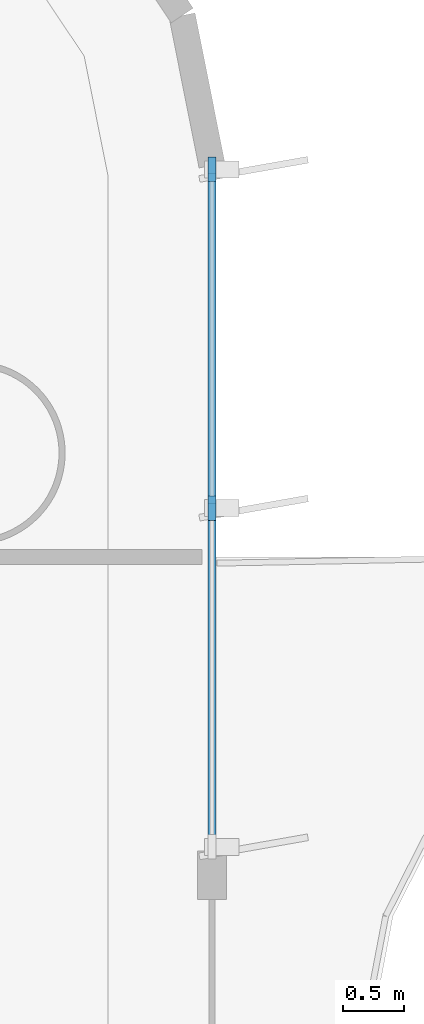
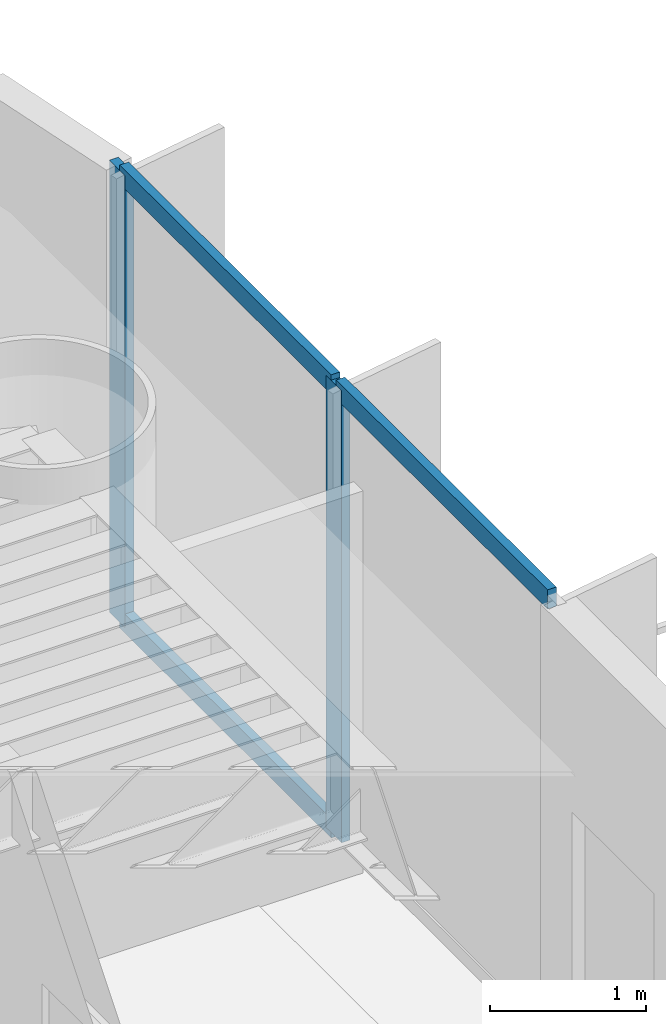
# One storey, part 6 of 18: 5 members, 1 element without a shape of its own.
"""IFC4 building model written with IfcOpenShell, lengths in metres."""

from ifc_helpers import new_model, si_unit, direction, frame, origin, origin_2d, place, context, subcontext, project, spatial, rectangle, extrude, source, transform, mapped, material, layer, layer_set, material_profile, profile_set, type_object, element, aggregate, save


model = new_model("IFC4")

# Units and contexts
model_context = context("Model", 3, precision=1e-05, world=origin(), true_north=direction((0.0, 1.0)))
body_context = subcontext(model_context, "Body", "Model", "MODEL_VIEW")
ifc_project = project(units=[si_unit("LENGTHUNIT", "METRE"), si_unit("AREAUNIT", "SQUARE_METRE"), si_unit("VOLUMEUNIT", "CUBIC_METRE"), si_unit("PLANEANGLEUNIT", "RADIAN"), si_unit("MASSUNIT", "GRAM", prefix="KILO")], contexts=[model_context])

# Site, building, storey
site_placement = place(None, origin())
site = spatial("IfcSite", under=ifc_project, at=site_placement, CompositionType="ELEMENT")
building_placement = place(site_placement, origin())
building = spatial("IfcBuilding", under=site, at=building_placement, Name="Brelvock Crest Care Tower", CompositionType="ELEMENT")
storey_placement = place(building_placement, frame((0.0, 0.0, 38.340087890625)))
storey = spatial("IfcBuildingStorey", under=building, at=storey_placement, Name="L09", CompositionType="ELEMENT", Elevation=38.340087890625)

# Curtain wall, members
ifc_material_1 = material(Name="Dark Glass Double Glazed Low-E", Category="glass")
ifc_layer = layer(ifc_material_1, 0.195068359375, Name="CWS-2")
ifc_layer_set = layer_set([ifc_layer], Name="Dark Glass Double Glazed Low-E")
curtain_wall_type = type_object("IfcCurtainWallType", Name="CWS-2", PredefinedType="NOTDEFINED", material=ifc_layer_set)
curtain_wall_placement = place(storey_placement, origin())
curtain_wall = element("IfcCurtainWall", 1, at=curtain_wall_placement, inside=storey, type_object=curtain_wall_type, Name="L09 Curtain Wall E03A", PredefinedType="NOTDEFINED")
ifc_material_2 = material(Name="Aluminium 6063-T6", Category="aluminium")
ifc_material_profile_1 = material_profile(ifc_material_2, rectangle(XDim=0.06494140625, YDim=0.199951171875, at=origin_2d()), Name="ALU65x200")
ifc_profile_set_1 = profile_set([ifc_material_profile_1], Name="Aluminium 6063-T6")
member_type_1 = type_object("IfcMemberType", Name="CWM-1", PredefinedType="MULLION", material=ifc_profile_set_1)
shared_shape_1 = source(origin(), body_context, "Body", "SweptSolid", [
    extrude(rectangle(XDim=0.06494140625, YDim=0.199951171875, at=origin_2d()), origin(), (0.0, 0.0, 1.0), 3.530029296875),
])
member_1_placement = place(storey_placement, frame((60.0, 32.767578125, 0.0), z_axis=(0.0, 0.0, 1.0), x_axis=(1.0, 0.0, 0.0)))
member_1 = element("IfcMember", 2, at=member_1_placement, type_object=member_type_1, Name="CW-2 mullion 1", PredefinedType="MULLION", context=body_context, shape_type="MappedRepresentation", body=[
    mapped(shared_shape_1, transform((0.0, 0.0, 0.0), x_axis=(1.0, 0.0, 0.0), y_axis=(0.0, 1.0, 0.0), z_axis=(0.0, 0.0, 1.0), scale=1.0)),
])
member_2_placement = place(storey_placement, frame((60.0, 30.0, 0.0), z_axis=(0.0, 0.0, 1.0), x_axis=(1.0, 0.0, 0.0)))
member_2 = element("IfcMember", 3, at=member_2_placement, type_object=member_type_1, Name="CW-2 mullion 2", PredefinedType="MULLION", context=body_context, shape_type="MappedRepresentation", body=[
    mapped(shared_shape_1, transform((0.0, 0.0, 0.0), x_axis=(1.0, 0.0, 0.0), y_axis=(0.0, 1.0, 0.0), z_axis=(0.0, 0.0, 1.0), scale=1.0)),
])
ifc_material_profile_2 = material_profile(ifc_material_2, rectangle(XDim=0.06494140625, YDim=0.14990234375, at=origin_2d()), Name="ALU65x150")
ifc_profile_set_2 = profile_set([ifc_material_profile_2], Name="Aluminium 6063-T6")
member_type_2 = type_object("IfcMemberType", Name="CWT-1", PredefinedType="USERDEFINED", material=ifc_profile_set_2)
shared_shape_2 = source(origin(), body_context, "Body", "SweptSolid", [
    extrude(rectangle(XDim=0.06494140625, YDim=0.14990234375, at=origin_2d()), origin(), (0.0, 0.0, 1.0), 2.70263671875),
])
member_3_placement = place(storey_placement, frame((60.0, 32.735107421875, 0.032470703125), z_axis=(0.0, -1.0, 0.0), x_axis=(1.0, 0.0, 0.0)))
member_3 = element("IfcMember", 4, at=member_3_placement, type_object=member_type_2, Name="CW-2 transom 1.1", ObjectType="TRANSOM", PredefinedType="USERDEFINED", context=body_context, shape_type="MappedRepresentation", body=[
    mapped(shared_shape_2, transform((0.0, 0.0, 0.0), x_axis=(1.0, 0.0, 0.0), y_axis=(0.0, 1.0, 0.0), z_axis=(0.0, 0.0, 1.0), scale=1.0)),
])
member_4_placement = place(storey_placement, frame((60.0, 32.735107421875, 3.497314453125), z_axis=(0.0, -1.0, 0.0), x_axis=(1.0, 0.0, 0.0)))
member_4 = element("IfcMember", 5, at=member_4_placement, type_object=member_type_2, Name="CW-2 transom 1.2", ObjectType="TRANSOM", PredefinedType="USERDEFINED", context=body_context, shape_type="MappedRepresentation", body=[
    mapped(shared_shape_2, transform((0.0, 0.0, 0.0), x_axis=(1.0, 0.0, 0.0), y_axis=(0.0, 1.0, 0.0), z_axis=(0.0, 0.0, 1.0), scale=1.0)),
])
member_5_placement = place(storey_placement, frame((60.0, 29.967529296875, 3.497314453125), z_axis=(0.0, -1.0, 0.0), x_axis=(1.0, 0.0, 0.0)))
member_5 = element("IfcMember", 6, at=member_5_placement, type_object=member_type_2, Name="CW-2 transom 2.2", ObjectType="TRANSOM", PredefinedType="USERDEFINED", context=body_context, shape_type="MappedRepresentation", body=[
    mapped(shared_shape_2, transform((0.0, 0.0, 0.0), x_axis=(1.0, 0.0, 0.0), y_axis=(0.0, 1.0, 0.0), z_axis=(0.0, 0.0, 1.0), scale=1.0)),
])
aggregate(curtain_wall, [member_1, member_2, member_3, member_4, member_5])

save(model, "model.ifc")
